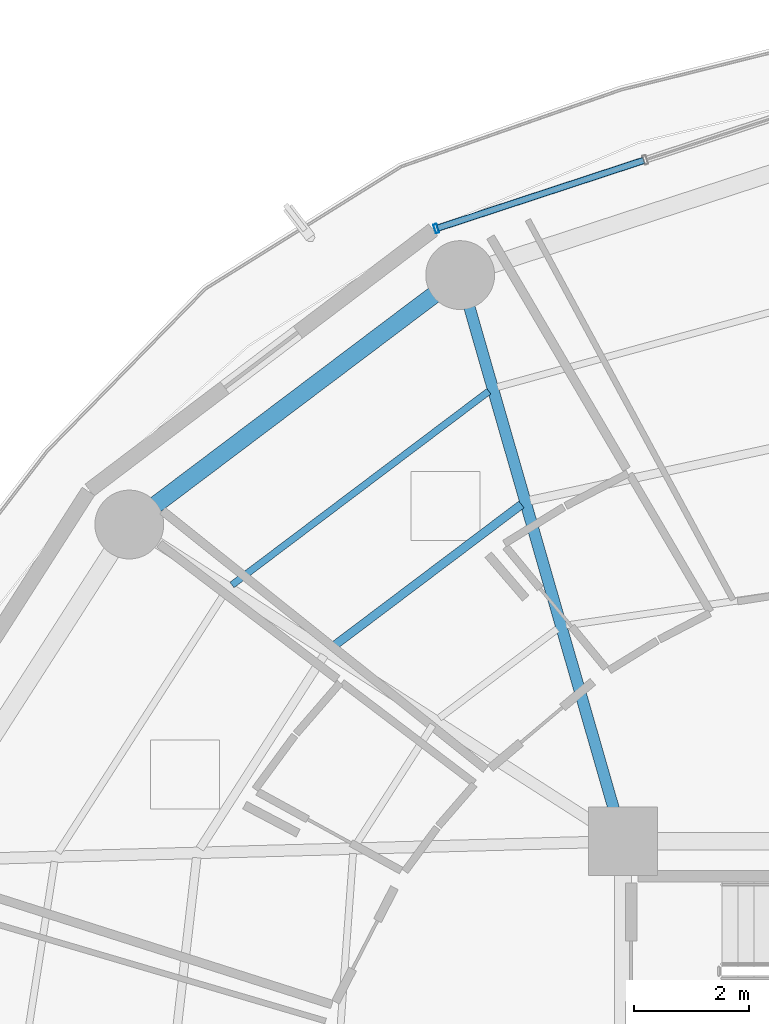
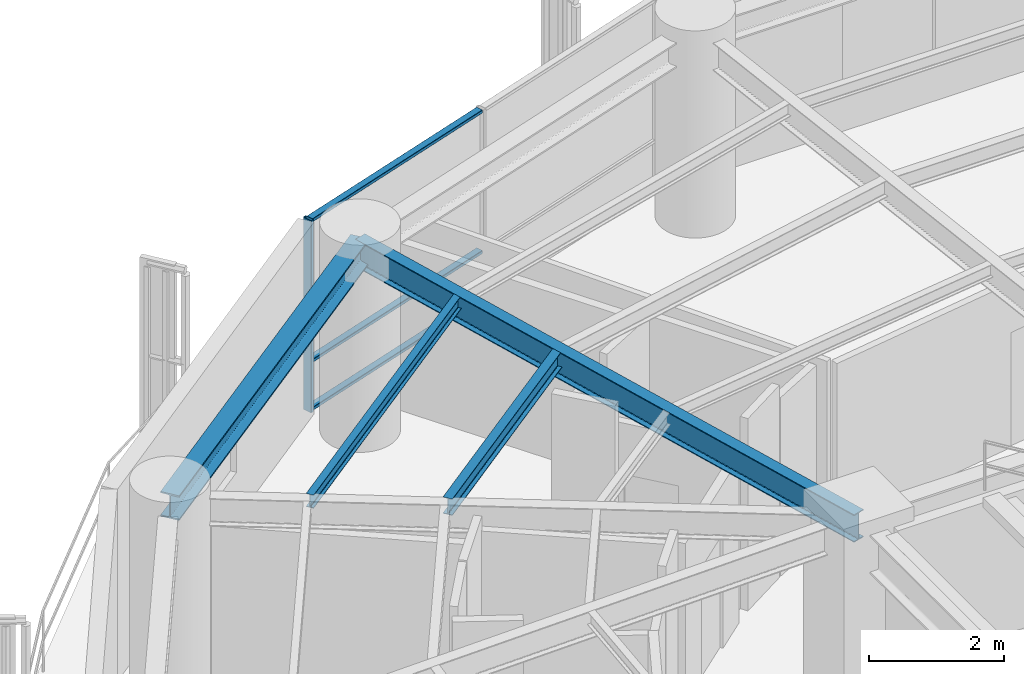
# One storey, part 16 of 27: 4 beams, 4 members, 1 element without a shape of its own.
"""IFC4 building model written with IfcOpenShell, lengths in metres."""

from ifc_helpers import new_model, si_unit, direction, frame, origin, origin_2d, place, context, subcontext, project, spatial, hollow_rectangle, i_section, extrude, material, layer, layer_set, material_profile, profile_set, type_object, element, aggregate, save


model = new_model("IFC4")

# Units and contexts
model_context = context("Model", 3, precision=1e-05, world=origin(), true_north=direction((0.0, 1.0)))
body_context = subcontext(model_context, "Body", "Model", "MODEL_VIEW")
ifc_project = project(units=[si_unit("LENGTHUNIT", "METRE"), si_unit("AREAUNIT", "SQUARE_METRE"), si_unit("VOLUMEUNIT", "CUBIC_METRE"), si_unit("PLANEANGLEUNIT", "RADIAN"), si_unit("MASSUNIT", "GRAM", prefix="KILO")], contexts=[model_context])

# Site, building, storey
site_placement = place(None, origin())
site = spatial("IfcSite", under=ifc_project, at=site_placement, CompositionType="ELEMENT")
building_placement = place(site_placement, origin())
building = spatial("IfcBuilding", under=site, at=building_placement, Name="Kelanora Arch Commons", CompositionType="ELEMENT")
storey_placement = place(building_placement, frame((0.0, 0.0, 150.60009765625)))
storey = spatial("IfcBuildingStorey", under=building, at=storey_placement, Name="L38", CompositionType="ELEMENT", Elevation=150.60009765625)

# Beams
ifc_material_1 = material(Name="Steel S355", Category="steel")
ifc_material_profile_1 = material_profile(ifc_material_1, i_section(OverallWidth=0.14990234375, OverallDepth=0.300048828125, WebThickness=0.007080078125, FlangeThickness=0.0107421875, FilletRadius=0.014892578125, at=origin_2d()), Name="IPE300")
ifc_profile_set_1 = profile_set([ifc_material_profile_1], Name="Steel S355")
beam_type_1 = type_object("IfcBeamType", Name="BM-JST-01", PredefinedType="JOIST", material=ifc_profile_set_1)
beam_1_placement = place(storey_placement, frame((64.22802734375, 70.870849609375, 3.33984375), z_axis=(-0.798463547891, -0.602043156833, 0.0), x_axis=(0.602043156833, -0.798463547891, 0.0)))
element("IfcBeam", 1, at=beam_1_placement, inside=storey, type_object=beam_type_1, Name="Secondary Chord Joist BJB-12 L38", PredefinedType="JOIST", context=body_context, shape_type="SweptSolid", body=[
    extrude(i_section(OverallWidth=0.14990234375, OverallDepth=0.300048828125, WebThickness=0.007080078125, FlangeThickness=0.0107421875, FilletRadius=0.014892578125, at=origin_2d()), origin(), (0.0, 0.0, 1.0), 4.163818359375),
])
ifc_material_profile_2 = material_profile(ifc_material_1, i_section(OverallWidth=0.1201171875, OverallDepth=0.239990234375, WebThickness=0.006103515625, FlangeThickness=0.009765625, FilletRadius=0.014892578125, at=origin_2d()), Name="IPE240")
ifc_profile_set_2 = profile_set([ifc_material_profile_2], Name="Steel S355")
beam_type_2 = type_object("IfcBeamType", Name="BM-JST-02", PredefinedType="JOIST", material=ifc_profile_set_2)
beam_2_placement = place(storey_placement, frame((63.66015625, 72.844970703125, 3.369873046875), z_axis=(-0.798493128577, -0.602003923256, 0.0), x_axis=(0.602003923256, -0.798493128577, 0.0)))
element("IfcBeam", 2, at=beam_2_placement, inside=storey, type_object=beam_type_2, Name="Secondary Chord Joist BJC-12 L38", PredefinedType="JOIST", context=body_context, shape_type="SweptSolid", body=[
    extrude(i_section(OverallWidth=0.1201171875, OverallDepth=0.239990234375, WebThickness=0.006103515625, FlangeThickness=0.009765625, FilletRadius=0.014892578125, at=origin_2d()), origin(), (0.0, 0.0, 1.0), 5.608642578125),
])
ifc_material_profile_3 = material_profile(ifc_material_1, i_section(OverallWidth=0.199951171875, OverallDepth=0.5, WebThickness=0.01025390625, FlangeThickness=0.01611328125, FilletRadius=0.02099609375, at=origin_2d()), Name="IPE500")
ifc_profile_set_3 = profile_set([ifc_material_profile_3], Name="Steel S355")
beam_type_3 = type_object("IfcBeamType", Name="BM-RAD-Z3", PredefinedType="BEAM", material=ifc_profile_set_3)
beam_3_placement = place(storey_placement, frame((66.0, 65.0, 3.239990234375), z_axis=(-0.276525880065, 0.961006471182, 0.0), x_axis=(-0.961006471182, -0.276525880065, 0.0)))
element("IfcBeam", 3, at=beam_3_placement, inside=storey, type_object=beam_type_3, Name="Radial Floor Girder BR-12 L38", PredefinedType="BEAM", context=body_context, shape_type="SweptSolid", body=[
    extrude(i_section(OverallWidth=0.199951171875, OverallDepth=0.5, WebThickness=0.01025390625, FlangeThickness=0.01611328125, FilletRadius=0.02099609375, at=origin_2d()), origin(), (0.0, 0.0, 1.0), 10.2705078125),
])
ifc_material_profile_4 = material_profile(ifc_material_1, i_section(OverallWidth=0.300048828125, OverallDepth=0.449951171875, WebThickness=0.013916015625, FlangeThickness=0.02587890625, FilletRadius=0.027099609375, at=origin_2d()), Name="HEB450")
ifc_profile_set_4 = profile_set([ifc_material_profile_4], Name="Steel S355")
beam_type_4 = type_object("IfcBeamType", Name="BM-SPN-Z3", PredefinedType="SPANDREL", material=ifc_profile_set_4)
beam_4_placement = place(storey_placement, frame((63.159912109375, 74.8701171875, 3.264892578125), z_axis=(-0.798484645564, -0.60201517489, 0.0), x_axis=(0.60201517489, -0.798484645564, 0.0)))
element("IfcBeam", 4, at=beam_4_placement, inside=storey, type_object=beam_type_4, Name="Perimeter Spandrel Beam BS-12 L38", PredefinedType="SPANDREL", context=body_context, shape_type="SweptSolid", body=[
    extrude(i_section(OverallWidth=0.300048828125, OverallDepth=0.449951171875, WebThickness=0.013916015625, FlangeThickness=0.02587890625, FilletRadius=0.027099609375, at=origin_2d()), origin(), (0.0, 0.0, 1.0), 7.223388671875),
])

# Curtain wall, members
ifc_material_2 = material(Name="Terracotta ceramic-fritted low-E glass and aluminium", Category="masonry")
ifc_layer = layer(ifc_material_2, 0.175048828125)
ifc_layer_set = layer_set([ifc_layer], Name="Terracotta ceramic-fritted low-E glass and aluminium")
curtain_wall_type = type_object("IfcCurtainWallType", Name="CW-SYS-02", PredefinedType="NOTDEFINED", material=ifc_layer_set)
curtain_wall_placement = place(storey_placement, origin())
curtain_wall = element("IfcCurtainWall", 5, at=curtain_wall_placement, inside=storey, type_object=curtain_wall_type, Name="Unitised Curtain Wall L38-B05", PredefinedType="NOTDEFINED")
ifc_material_3 = material(Name="Powder-coated aluminium terracotta", Category="masonry")
ifc_material_profile_5 = material_profile(ifc_material_3, hollow_rectangle(XDim=0.159912109375, YDim=0.06005859375, WallThickness=0.0048828125, InnerFilletRadius=0.0048828125, OuterFilletRadius=0.010009765625, at=origin_2d()), Name="CWM160x60")
ifc_profile_set_5 = profile_set([ifc_material_profile_5], Name="Powder-coated aluminium terracotta")
member_type_1 = type_object("IfcMemberType", Name="CWM-STD", PredefinedType="MULLION", material=ifc_profile_set_5)
member_1_placement = place(storey_placement, frame((62.742919921875, 75.680908203125, 0.0), z_axis=(0.0, 0.0, 1.0), x_axis=(0.312128279571, -0.95003996605, 0.0)))
member_1 = element("IfcMember", 6, at=member_1_placement, type_object=member_type_1, Name="CW-02 mullion 3", PredefinedType="MULLION", context=body_context, shape_type="SweptSolid", body=[
    extrude(hollow_rectangle(XDim=0.159912109375, YDim=0.06005859375, WallThickness=0.0048828125, InnerFilletRadius=0.0048828125, OuterFilletRadius=0.010009765625, at=origin_2d()), origin(), (0.0, 0.0, 1.0), 3.474853515625),
])
ifc_material_profile_6 = material_profile(ifc_material_3, hollow_rectangle(XDim=0.1201171875, YDim=0.06005859375, WallThickness=0.0048828125, InnerFilletRadius=0.0048828125, OuterFilletRadius=0.010009765625, at=origin_2d()), Name="CWT120x60")
ifc_profile_set_6 = profile_set([ifc_material_profile_6], Name="Powder-coated aluminium terracotta")
member_type_2 = type_object("IfcMemberType", Name="CWT-STD", PredefinedType="USERDEFINED", material=ifc_profile_set_6)
member_2_placement = place(storey_placement, frame((66.359375, 76.869140625, 0.02978515625), z_axis=(-0.950051191155, -0.312094111104, 0.0), x_axis=(0.312094111104, -0.950051191155, 0.0)))
member_2 = element("IfcMember", 7, at=member_2_placement, type_object=member_type_2, Name="CW-02 transom 2.1", ObjectType="TRANSOM", PredefinedType="USERDEFINED", context=body_context, shape_type="SweptSolid", body=[
    extrude(hollow_rectangle(XDim=0.1201171875, YDim=0.06005859375, WallThickness=0.0048828125, InnerFilletRadius=0.0048828125, OuterFilletRadius=0.010009765625, at=origin_2d()), origin(), (0.0, 0.0, 1.0), 3.77685546875),
])
member_3_placement = place(storey_placement, frame((66.359375, 76.869140625, 0.89990234375), z_axis=(-0.950051191155, -0.312094111104, 0.0), x_axis=(0.312094111104, -0.950051191155, 0.0)))
member_3 = element("IfcMember", 8, at=member_3_placement, type_object=member_type_2, Name="CW-02 transom 2.2", ObjectType="TRANSOM", PredefinedType="USERDEFINED", context=body_context, shape_type="SweptSolid", body=[
    extrude(hollow_rectangle(XDim=0.1201171875, YDim=0.06005859375, WallThickness=0.0048828125, InnerFilletRadius=0.0048828125, OuterFilletRadius=0.010009765625, at=origin_2d()), origin(), (0.0, 0.0, 1.0), 3.77685546875),
])
member_4_placement = place(storey_placement, frame((66.359375, 76.869140625, 3.44482421875), z_axis=(-0.950051191155, -0.312094111104, 0.0), x_axis=(0.312094111104, -0.950051191155, 0.0)))
member_4 = element("IfcMember", 9, at=member_4_placement, type_object=member_type_2, Name="CW-02 transom 2.3", ObjectType="TRANSOM", PredefinedType="USERDEFINED", context=body_context, shape_type="SweptSolid", body=[
    extrude(hollow_rectangle(XDim=0.1201171875, YDim=0.06005859375, WallThickness=0.0048828125, InnerFilletRadius=0.0048828125, OuterFilletRadius=0.010009765625, at=origin_2d()), origin(), (0.0, 0.0, 1.0), 3.77685546875),
])
aggregate(curtain_wall, [member_1, member_2, member_3, member_4])

save(model, "model.ifc")
